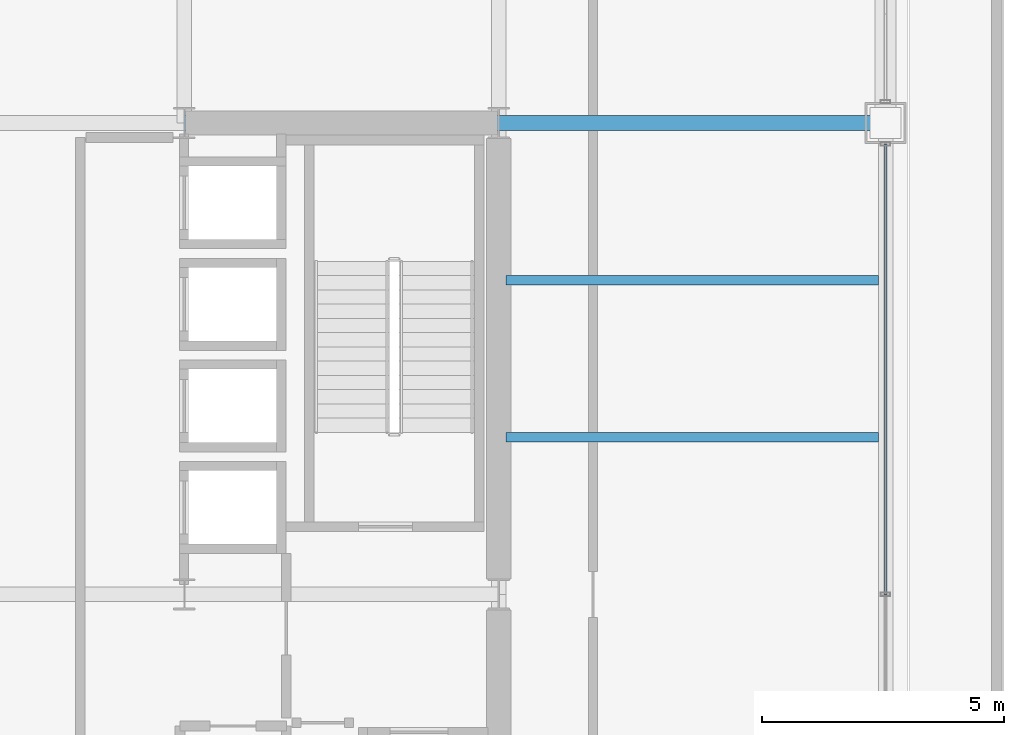
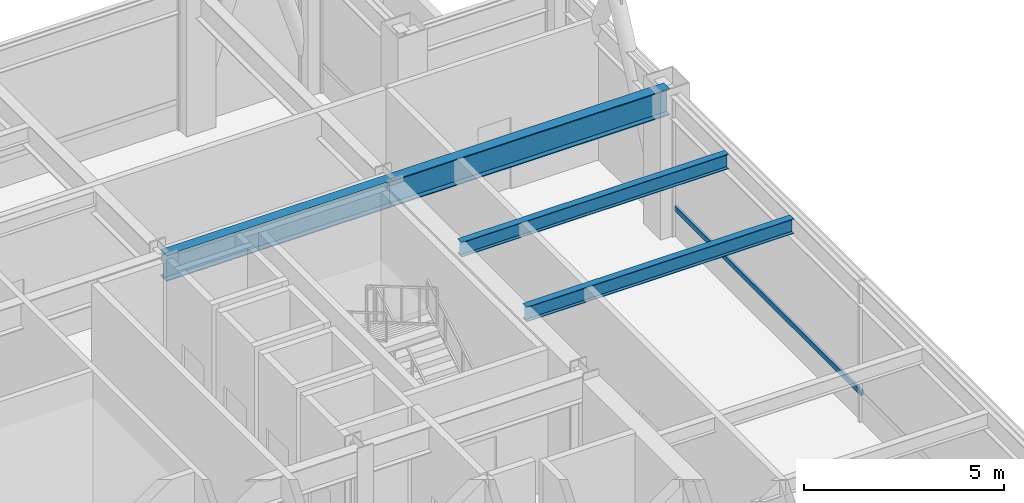
# One storey, part 16 of 32: 4 beams, 1 member, 1 element without a shape of its own.
"""IFC4 building model written with IfcOpenShell, lengths in metres."""

from ifc_helpers import new_model, si_unit, direction, frame, origin, origin_2d, place, context, subcontext, project, spatial, hollow_rectangle, i_section, extrude, material, layer, layer_set, material_profile, profile_set, type_object, element, aggregate, save


model = new_model("IFC4")

# Units and contexts
model_context = context("Model", 3, precision=1e-05, world=origin(), true_north=direction((0.0, 1.0)))
body_context = subcontext(model_context, "Body", "Model", "MODEL_VIEW")
ifc_project = project(units=[si_unit("LENGTHUNIT", "METRE"), si_unit("AREAUNIT", "SQUARE_METRE"), si_unit("VOLUMEUNIT", "CUBIC_METRE"), si_unit("PLANEANGLEUNIT", "RADIAN"), si_unit("MASSUNIT", "GRAM", prefix="KILO")], contexts=[model_context])

# Site, building, storey
site_placement = place(None, origin())
site = spatial("IfcSite", under=ifc_project, at=site_placement, CompositionType="ELEMENT")
building_placement = place(site_placement, origin())
building = spatial("IfcBuilding", under=site, at=building_placement, Name="Brelmoor Portico Tower", CompositionType="ELEMENT")
storey_placement = place(building_placement, frame((0.0, 0.0, 87.300048828125)))
storey = spatial("IfcBuildingStorey", under=building, at=storey_placement, Name="L22", CompositionType="ELEMENT", Elevation=87.300048828125)

# Beams
ifc_material_1 = material(Name="Steel Q355B", Category="steel")
ifc_material_profile_1 = material_profile(ifc_material_1, i_section(OverallWidth=0.199951171875, OverallDepth=0.449951171875, WebThickness=0.009033203125, FlangeThickness=0.013916015625, at=origin_2d()), Name="HN 450x200x9x14")
ifc_profile_set_1 = profile_set([ifc_material_profile_1], Name="Steel Q355B")
beam_type_1 = type_object("IfcBeamType", Name="BM-JS-450", PredefinedType="JOIST", material=ifc_profile_set_1)
for number, where, z_axis, x_axis, name in (
    (1, (14.699951171875, 3.25, 4.074951171875), (1.0, 0.0, 0.0), (0.0, 1.0, 0.0), "L22 Secondary Wing Joist JS-E11"),
    (2, (14.699951171875, 6.5, 4.074951171875), (1.0, 0.0, 0.0), (0.0, 1.0, 0.0), "L22 Secondary Wing Joist JS-E12"),
):
    element("IfcBeam", number, at=place(storey_placement, frame(where, z_axis=z_axis, x_axis=x_axis)), inside=storey, type_object=beam_type_1, Name=name, PredefinedType="JOIST", context=body_context, shape_type="SweptSolid", body=[
        extrude(i_section(OverallWidth=0.199951171875, OverallDepth=0.449951171875, WebThickness=0.009033203125, FlangeThickness=0.013916015625, at=origin_2d()), origin(), (0.0, 0.0, 1.0), 7.699951171875),
    ])
ifc_material_profile_2 = material_profile(ifc_material_1, i_section(OverallWidth=0.300048828125, OverallDepth=0.800048828125, WebThickness=0.013916015625, FlangeThickness=0.02587890625, at=origin_2d()), Name="HN 800x300x14x26")
ifc_profile_set_2 = profile_set([ifc_material_profile_2], Name="Steel Q355B")
beam_type_2 = type_object("IfcBeamType", Name="BM-PG-800", PredefinedType="BEAM", material=ifc_profile_set_2)
beam_1_placement = place(storey_placement, frame((8.050048828125, 9.75, 3.89990234375), z_axis=(1.0, 0.0, 0.0), x_axis=(0.0, 1.0, 0.0)))
element("IfcBeam", 3, at=beam_1_placement, inside=storey, type_object=beam_type_2, Name="L22 Primary Floor Girder PG-24", PredefinedType="BEAM", context=body_context, shape_type="SweptSolid", body=[
    extrude(i_section(OverallWidth=0.300048828125, OverallDepth=0.800048828125, WebThickness=0.013916015625, FlangeThickness=0.02587890625, at=origin_2d()), origin(), (0.0, 0.0, 1.0), 6.5),
])
beam_2_placement = place(storey_placement, frame((14.550048828125, 9.75, 3.89990234375), z_axis=(1.0, 0.0, 0.0), x_axis=(0.0, 1.0, 0.0)))
element("IfcBeam", 4, at=beam_2_placement, inside=storey, type_object=beam_type_2, Name="L22 Primary Floor Girder PG-25", PredefinedType="BEAM", context=body_context, shape_type="SweptSolid", body=[
    extrude(i_section(OverallWidth=0.300048828125, OverallDepth=0.800048828125, WebThickness=0.013916015625, FlangeThickness=0.02587890625, at=origin_2d()), origin(), (0.0, 0.0, 1.0), 8.0),
])

# Curtain wall, member
ifc_material_2 = material(Name="Anodised Aluminium Alloy 6063-T6", Category="aluminium")
ifc_layer = layer(ifc_material_2, 0.179931640625)
ifc_layer_set = layer_set([ifc_layer], Name="Anodised Aluminium Alloy 6063-T6")
curtain_wall_type = type_object("IfcCurtainWallType", Name="CW-SKYLOBBY", PredefinedType="NOTDEFINED", material=ifc_layer_set)
curtain_wall_placement = place(storey_placement, origin())
curtain_wall = element("IfcCurtainWall", 5, at=curtain_wall_placement, inside=storey, type_object=curtain_wall_type, Name="L22 Curtain Wall CW-L22-04-2", PredefinedType="NOTDEFINED")
ifc_material_profile_3 = material_profile(ifc_material_2, hollow_rectangle(XDim=0.070068359375, YDim=0.159912109375, WallThickness=0.00390625, at=origin_2d()), Name="ALU TRANSOM 70x160")
ifc_profile_set_3 = profile_set([ifc_material_profile_3], Name="Anodised Aluminium Alloy 6063-T6")
member_type = type_object("IfcMemberType", Name="MB-CW-TRAN-160", PredefinedType="USERDEFINED", material=ifc_profile_set_3)
member_placement = place(storey_placement, frame((22.550048828125, 0.0, 0.849853515625), z_axis=(0.0, 1.0, 0.0), x_axis=(-1.0, 0.0, 0.0)))
member = element("IfcMember", 6, at=member_placement, type_object=member_type, Name="CW-L22-04-2 Transom 1-01", ObjectType="TRANSOM", PredefinedType="USERDEFINED", context=body_context, shape_type="SweptSolid", body=[
    extrude(hollow_rectangle(XDim=0.070068359375, YDim=0.159912109375, WallThickness=0.00390625, at=origin_2d()), origin(), (0.0, 0.0, 1.0), 9.31494140625),
])
aggregate(curtain_wall, [member])

save(model, "model.ifc")
